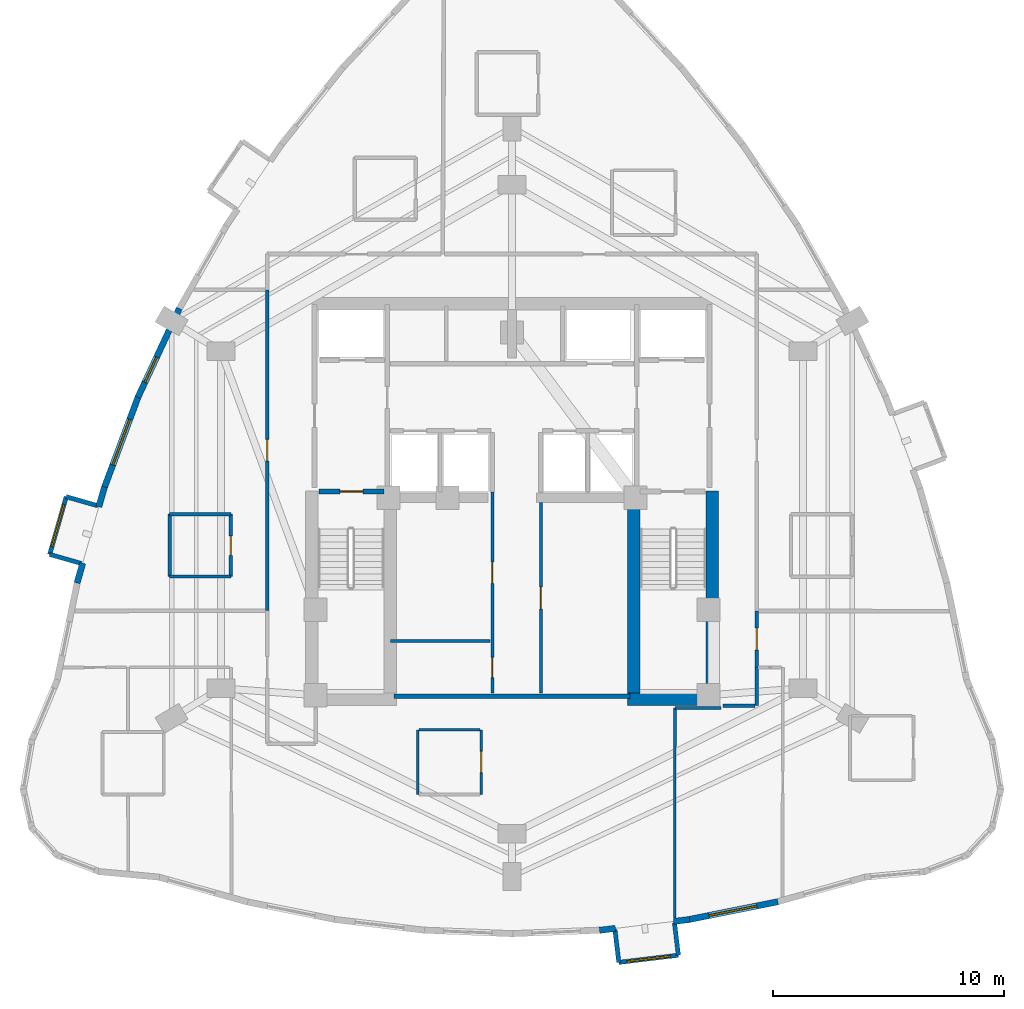
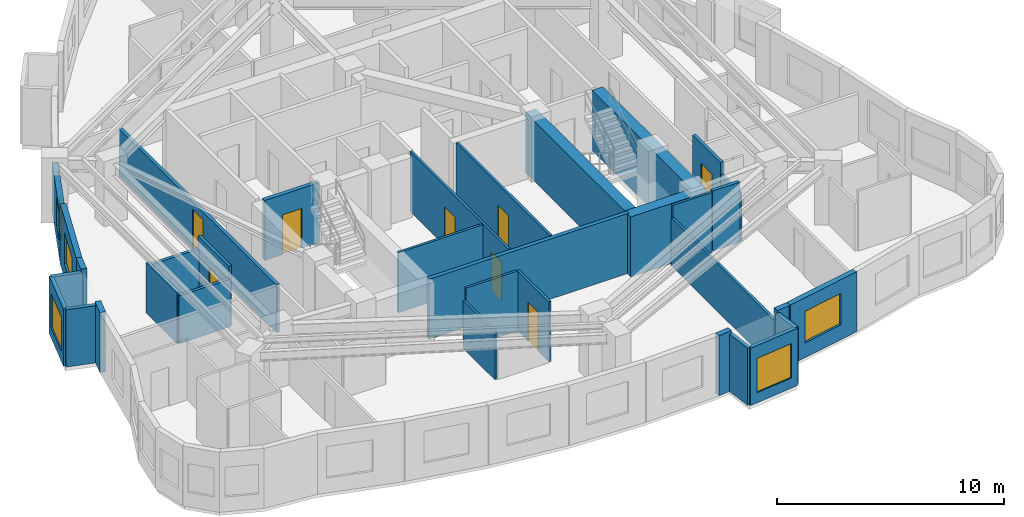
# One storey, part 5 of 10: 34 walls, 8 doors, 5 windows, 13 openings.
"""IFC4 building model written with IfcOpenShell, lengths in metres."""

from ifc_helpers import new_model, si_unit, direction, frame, frame_2d, origin, place, context, subcontext, project, spatial, rectangle, extrude, material, layer, layer_set, type_object, element, fill, save


model = new_model("IFC4")

# Units and contexts
model_context = context("Model", 3, precision=1e-05, world=origin(), true_north=direction((0.0, 1.0)))
body_context = subcontext(model_context, "Body", "Model", "MODEL_VIEW")
ifc_project = project(units=[si_unit("LENGTHUNIT", "METRE"), si_unit("AREAUNIT", "SQUARE_METRE"), si_unit("VOLUMEUNIT", "CUBIC_METRE"), si_unit("PLANEANGLEUNIT", "RADIAN"), si_unit("MASSUNIT", "GRAM", prefix="KILO")], contexts=[model_context])

# Site, building, storey
site_placement = place(None, origin())
site = spatial("IfcSite", under=ifc_project, at=site_placement, CompositionType="ELEMENT")
building_placement = place(site_placement, origin())
building = spatial("IfcBuilding", under=site, at=building_placement, Name="Miruveldt Soraemaru", CompositionType="ELEMENT")
storey_placement = place(building_placement, frame((0.0, 0.0, 173.89990234375)))
storey = spatial("IfcBuildingStorey", under=building, at=storey_placement, Name="L48", CompositionType="ELEMENT", Elevation=173.89990234375)

# Walls
ifc_material_1 = material(Name="White powder-coated aluminium EN AW-6060 T6", Category="aluminium")
ifc_layer_1 = layer(ifc_material_1, 0.18994140625, Name="White powder-coated aluminium EN AW-6060 T6", Category="aluminium")
ifc_layer_set_1 = layer_set([ifc_layer_1], Name="White powder-coated aluminium EN AW-6060 T6")
wall_type_1 = type_object("IfcWallType", Name="WALL-BAY-ALU190", PredefinedType="SOLIDWALL", material=ifc_layer_set_1)
wall_1_placement = place(storey_placement, frame((26.06591796875, 43.7041015625, 0.0), z_axis=(0.0, 0.0, 1.0), x_axis=(-0.961439844578, 0.275015318223, 0.0)))
element("IfcWall", 1, at=wall_1_placement, inside=storey, type_object=wall_type_1, Name="L48 Bay Window Side Cheek 2L", PredefinedType="SOLIDWALL", context=body_context, shape_type="SweptSolid", body=[
    extrude(rectangle(XDim=1.4248046875, YDim=0.18994140625, at=frame_2d((0.71240234375, 0.0))), origin(), (0.0, 0.0, 1.0), 3.085205078125),
])
wall_2_placement = place(storey_placement, frame((23.98095703125, 41.59619140625, 0.0), z_axis=(0.0, 0.0, 1.0), x_axis=(0.961452801096, -0.274970018845, 0.0)))
element("IfcWall", 2, at=wall_2_placement, inside=storey, type_object=wall_type_1, Name="L48 Bay Window Side Cheek 2R", PredefinedType="SOLIDWALL", context=body_context, shape_type="SweptSolid", body=[
    extrude(rectangle(XDim=1.425048828125, YDim=0.18994140625, at=frame_2d((0.71240234375, 0.0))), origin(), (0.0, 0.0, 1.0), 3.085205078125),
])

# Wall, opening, window
wall_3_placement = place(storey_placement, frame((24.696044921875, 44.095947265625, 0.0), z_axis=(0.0, 0.0, 1.0), x_axis=(-0.275031158597, -0.961435313373, 0.0)))
wall_3 = element("IfcWall", 3, at=wall_3_placement, inside=storey, type_object=wall_type_1, Name="L48 Bay Window Front Frame 2", PredefinedType="SOLIDWALL", context=body_context, shape_type="SweptSolid", body=[
    extrude(rectangle(XDim=2.60009765625, YDim=0.18994140625, at=frame_2d((1.300048828125, 0.0))), origin(), (0.0, 0.0, 1.0), 3.085205078125),
])
opening_1_placement = place(wall_3_placement, frame((0.35009765625, 0.0, 0.550048828125)))
opening_1 = element("IfcOpeningElement", 4, at=opening_1_placement, cuts=wall_3, Name="Opening WN-6", PredefinedType="OPENING", context=body_context, shape_type="SweptSolid", body=[
    extrude(rectangle(XDim=1.89990234375, YDim=1.85009765625, at=frame_2d((0.949951171875, 0.925048828125))), frame((0.0, 0.10498046875, 0.0), z_axis=(0.0, -1.0, 0.0), x_axis=(1.0, 0.0, 0.0)), (0.0, 0.0, 1.0), 0.2099609375),
])
ifc_material_2 = material(Name="Triple low-e insulated glazing", Category="glass")
window_type_1 = type_object("IfcWindowType", Name="WIN-BAYW-1900x1850", PartitioningType="SINGLE_PANEL", PredefinedType="WINDOW", material=ifc_material_2)
window_1_placement = place(opening_1_placement, origin())
window_1 = element("IfcWindow", 5, at=window_1_placement, inside=storey, type_object=window_type_1, Name="L48 Projecting Bay Window 2", OverallHeight=1.85009765625, OverallWidth=1.89990234375, PartitioningType="SINGLE_PANEL", PredefinedType="WINDOW", context=body_context, shape_type="SweptSolid", body=[
    extrude(rectangle(XDim=1.89990234375, YDim=1.85009765625, at=frame_2d((0.949951171875, 0.925048828125))), frame((0.0, 0.030029296875, 0.0), z_axis=(0.0, -1.0, 0.0), x_axis=(1.0, 0.0, 0.0)), (0.0, 0.0, 1.0), 0.06005859375),
])
fill(opening_1, window_1)

# Walls
wall_4_placement = place(storey_placement, frame((48.45458984375, 25.345703125, 0.0), z_axis=(0.0, 0.0, 1.0), x_axis=(0.119246559468, -0.992864672579, 0.0)))
element("IfcWall", 6, at=wall_4_placement, inside=storey, type_object=wall_type_1, Name="L48 Bay Window Side Cheek 3L", PredefinedType="SOLIDWALL", context=body_context, shape_type="SweptSolid", body=[
    extrude(rectangle(XDim=1.425048828125, YDim=0.18994140625, at=frame_2d((0.71240234375, 0.0))), origin(), (0.0, 0.0, 1.0), 3.085205078125),
])
wall_5_placement = place(storey_placement, frame((51.205810546875, 24.240478515625, 0.0), z_axis=(0.0, 0.0, 1.0), x_axis=(-0.119057405757, 0.992887372331, 0.0)))
element("IfcWall", 7, at=wall_5_placement, inside=storey, type_object=wall_type_1, Name="L48 Bay Window Side Cheek 3R", PredefinedType="SOLIDWALL", context=body_context, shape_type="SweptSolid", body=[
    extrude(rectangle(XDim=1.42529296875, YDim=0.18994140625, at=frame_2d((0.712646484375, 0.0))), origin(), (0.0, 0.0, 1.0), 3.085205078125),
])

# Wall, opening, window
wall_6_placement = place(storey_placement, frame((48.62451171875, 23.930908203125, 0.0), z_axis=(0.0, 0.0, 1.0), x_axis=(0.992885278793, 0.119074863663, 0.0)))
wall_6 = element("IfcWall", 8, at=wall_6_placement, inside=storey, type_object=wall_type_1, Name="L48 Bay Window Front Frame 3", PredefinedType="SOLIDWALL", context=body_context, shape_type="SweptSolid", body=[
    extrude(rectangle(XDim=2.599853515625, YDim=0.18994140625, at=frame_2d((1.2998046875, 0.0))), origin(), (0.0, 0.0, 1.0), 3.085205078125),
])
opening_2_placement = place(wall_6_placement, frame((0.35009765625, 0.0, 0.550048828125)))
opening_2 = element("IfcOpeningElement", 9, at=opening_2_placement, cuts=wall_6, Name="Opening WN-6", PredefinedType="OPENING", context=body_context, shape_type="SweptSolid", body=[
    extrude(rectangle(XDim=1.89990234375, YDim=1.85009765625, at=frame_2d((0.949951171875, 0.925048828125))), frame((0.0, 0.10498046875, 0.0), z_axis=(0.0, -1.0, 0.0), x_axis=(1.0, 0.0, 0.0)), (0.0, 0.0, 1.0), 0.2099609375),
])
window_2_placement = place(opening_2_placement, origin())
window_2 = element("IfcWindow", 10, at=window_2_placement, inside=storey, type_object=window_type_1, Name="L48 Projecting Bay Window 3", OverallHeight=1.85009765625, OverallWidth=1.89990234375, PartitioningType="SINGLE_PANEL", PredefinedType="WINDOW", context=body_context, shape_type="SweptSolid", body=[
    extrude(rectangle(XDim=1.89990234375, YDim=1.85009765625, at=frame_2d((0.949951171875, 0.925048828125))), frame((0.0, 0.030029296875, 0.0), z_axis=(0.0, -1.0, 0.0), x_axis=(1.0, 0.0, 0.0)), (0.0, 0.0, 1.0), 0.06005859375),
])
fill(opening_2, window_2)

# Walls
ifc_material_3 = material(Name="Concrete C70/85 (70 MPa)", Category="concrete")
ifc_layer_2 = layer(ifc_material_3, 0.550048828125, Name="Concrete C70/85 (70 MPa)", Category="concrete")
ifc_layer_set_2 = layer_set([ifc_layer_2], Name="Concrete C70/85 (70 MPa)")
wall_type_2 = type_object("IfcWallType", Name="WALL-CW-550", PredefinedType="SHEAR", material=ifc_layer_set_2)
wall_7_placement = place(storey_placement, frame((49.0, 35.324951171875, 0.0), z_axis=(0.0, 0.0, 1.0), x_axis=(1.0, 0.0, 0.0)))
element("IfcWall", 11, at=wall_7_placement, inside=storey, type_object=wall_type_2, Name="L48 Central Core Shear Wall S2", PredefinedType="SHEAR", context=body_context, shape_type="SweptSolid", body=[
    extrude(rectangle(XDim=3.949951171875, YDim=0.550048828125, at=frame_2d((1.97509765625, 0.0))), origin(), (0.0, 0.0, 1.0), 3.235107421875),
])
wall_8_placement = place(storey_placement, frame((52.675048828125, 35.050048828125, 0.0), z_axis=(0.0, 0.0, 1.0), x_axis=(0.0, 1.0, 0.0)))
element("IfcWall", 12, at=wall_8_placement, inside=storey, type_object=wall_type_2, Name="L48 Central Core Shear Wall E1", PredefinedType="SHEAR", context=body_context, shape_type="SweptSolid", body=[
    extrude(rectangle(XDim=9.300048828125, YDim=0.550048828125, at=frame_2d((4.64990234375, 0.0))), origin(), (0.0, 0.0, 1.0), 3.235107421875),
])
wall_9_placement = place(storey_placement, frame((49.27490234375, 35.39990234375, 0.0), z_axis=(0.0, 0.0, 1.0), x_axis=(0.0, 1.0, 0.0)))
element("IfcWall", 13, at=wall_9_placement, inside=storey, type_object=wall_type_2, Name="L48 Central Core Shear Wall SE-INT", PredefinedType="SHEAR", context=body_context, shape_type="SweptSolid", body=[
    extrude(rectangle(XDim=8.9501953125, YDim=0.550048828125, at=frame_2d((4.47509765625, 0.0))), origin(), (0.0, 0.0, 1.0), 3.235107421875),
])

# Wall, opening, window
ifc_material_4 = material(Name="Precast concrete C45/55 (45 MPa)", Category="concrete")
ifc_layer_3 = layer(ifc_material_4, 0.27001953125, Name="Precast concrete C45/55 (45 MPa)", Category="concrete")
ifc_layer_set_3 = layer_set([ifc_layer_3], Name="Precast concrete C45/55 (45 MPa)")
wall_type_3 = type_object("IfcWallType", Name="WALL-EXT-PC270", PredefinedType="SOLIDWALL", material=ifc_layer_set_3)
wall_10_placement = place(storey_placement, frame((29.59375, 52.245361328125, 0.0), z_axis=(0.0, 0.0, 1.0), x_axis=(-0.422331680963, -0.906441366694, 0.0)))
wall_10 = element("IfcWall", 14, at=wall_10_placement, inside=storey, type_object=wall_type_3, Name="L48 Precast Concrete Facade Wall 11", PredefinedType="SOLIDWALL", context=body_context, shape_type="SweptSolid", body=[
    extrude(rectangle(XDim=4.248291015625, YDim=0.27001953125, at=frame_2d((2.1240234375, 0.0))), origin(), (0.0, 0.0, 1.0), 2.572998046875),
])
opening_3_placement = place(wall_10_placement, frame((2.323974609375, 0.0, 0.780029296875)))
opening_3 = element("IfcOpeningElement", 15, at=opening_3_placement, cuts=wall_10, Name="Opening WN-4", PredefinedType="OPENING", context=body_context, shape_type="SweptSolid", body=[
    extrude(rectangle(XDim=1.199951171875, YDim=1.550048828125, at=frame_2d((0.60009765625, 0.77490234375))), frame((0.0, 0.14501953125, 0.0), z_axis=(0.0, -1.0, 0.0), x_axis=(1.0, 0.0, 0.0)), (0.0, 0.0, 1.0), 0.2900390625),
])
window_type_2 = type_object("IfcWindowType", Name="WIN-PUNCH-1200x1550", PartitioningType="SINGLE_PANEL", PredefinedType="WINDOW", material=ifc_material_2)
window_3_placement = place(opening_3_placement, origin())
window_3 = element("IfcWindow", 16, at=window_3_placement, inside=storey, type_object=window_type_2, Name="L48 Punched Triple-Glazed Window 11.1", OverallHeight=1.550048828125, OverallWidth=1.199951171875, PartitioningType="SINGLE_PANEL", PredefinedType="WINDOW", context=body_context, shape_type="SweptSolid", body=[
    extrude(rectangle(XDim=1.199951171875, YDim=1.550048828125, at=frame_2d((0.60009765625, 0.77490234375))), frame((0.0, 0.030029296875, 0.0), z_axis=(0.0, -1.0, 0.0), x_axis=(1.0, 0.0, 0.0)), (0.0, 0.0, 1.0), 0.06005859375),
])
fill(opening_3, window_3)

wall_11_placement = place(storey_placement, frame((27.82666015625, 48.458984375, 0.0), z_axis=(0.0, 0.0, 1.0), x_axis=(-0.349019533754, -0.937115449162, 0.0)))
wall_11 = element("IfcWall", 17, at=wall_11_placement, inside=storey, type_object=wall_type_3, Name="L48 Precast Concrete Facade Wall 12", PredefinedType="SOLIDWALL", context=body_context, shape_type="SweptSolid", body=[
    extrude(rectangle(XDim=4.274658203125, YDim=0.27001953125, at=frame_2d((2.13720703125, 0.0))), origin(), (0.0, 0.0, 1.0), 3.235107421875),
])
opening_4_placement = place(wall_11_placement, frame((1.0869140625, 0.0, 0.800048828125)))
opening_4 = element("IfcOpeningElement", 18, at=opening_4_placement, cuts=wall_11, Name="Opening WN-1", PredefinedType="OPENING", context=body_context, shape_type="SweptSolid", body=[
    extrude(rectangle(XDim=2.10009765625, YDim=1.699951171875, at=frame_2d((1.050048828125, 0.85009765625))), frame((0.0, 0.14501953125, 0.0), z_axis=(0.0, -1.0, 0.0), x_axis=(1.0, 0.0, 0.0)), (0.0, 0.0, 1.0), 0.2900390625),
])
window_type_3 = type_object("IfcWindowType", Name="WIN-PUNCH-2100x1700", PartitioningType="SINGLE_PANEL", PredefinedType="WINDOW", material=ifc_material_2)
window_4_placement = place(opening_4_placement, origin())
window_4 = element("IfcWindow", 19, at=window_4_placement, inside=storey, type_object=window_type_3, Name="L48 Punched Triple-Glazed Window 12.1", OverallHeight=1.699951171875, OverallWidth=2.10009765625, PartitioningType="SINGLE_PANEL", PredefinedType="WINDOW", context=body_context, shape_type="SweptSolid", body=[
    extrude(rectangle(XDim=2.10009765625, YDim=1.699951171875, at=frame_2d((1.050048828125, 0.85009765625))), frame((0.0, 0.030029296875, 0.0), z_axis=(0.0, -1.0, 0.0), x_axis=(1.0, 0.0, 0.0)), (0.0, 0.0, 1.0), 0.06005859375),
])
fill(opening_4, window_4)

# Walls
for number, where, z_axis, x_axis, name in (
    (20, (26.3564453125, 44.51953125, 0.0), (0.0, 0.0, 1.0), (-0.275045780768, -0.961431130389, 0.0), "L48 Precast Pier Wall 13A"),
    (21, (25.412109375, 41.218017578125, 0.0), (0.0, 0.0, 1.0), (-0.274793281104, -0.961503329511, 0.0), "L48 Precast Pier Wall 13B"),
):
    element("IfcWall", number, at=place(storey_placement, frame(where, z_axis=z_axis, x_axis=x_axis)), inside=storey, type_object=wall_type_3, Name=name, PredefinedType="SOLIDWALL", context=body_context, shape_type="SweptSolid", body=[
        extrude(rectangle(XDim=0.893798828125, YDim=0.27001953125, at=frame_2d((0.44677734375, 0.0))), origin(), (0.0, 0.0, 1.0), 3.235107421875),
    ])
for number, where, z_axis, x_axis, name in (
    (22, (47.791015625, 25.3212890625, 0.0), (0.0, 0.0, 1.0), (0.992858455282, 0.119298314215, 0.0), "L48 Precast Pier Wall 26A"),
    (23, (50.999755859375, 25.706298828125, 0.0), (0.0, 0.0, 1.0), (0.992858455282, 0.119298314215, 0.0), "L48 Precast Pier Wall 26B"),
):
    element("IfcWall", number, at=place(storey_placement, frame(where, z_axis=z_axis, x_axis=x_axis)), inside=storey, type_object=wall_type_3, Name=name, PredefinedType="SOLIDWALL", context=body_context, shape_type="SweptSolid", body=[
        extrude(rectangle(XDim=0.691650390625, YDim=0.27001953125, at=frame_2d((0.345703125, 0.0))), origin(), (0.0, 0.0, 1.0), 3.235107421875),
    ])

# Wall, opening, window
wall_12_placement = place(storey_placement, frame((51.617431640625, 25.77783203125, 0.0), z_axis=(0.0, 0.0, 1.0), x_axis=(0.980573582327, 0.196151598621, 0.0)))
wall_12 = element("IfcWall", 24, at=wall_12_placement, inside=storey, type_object=wall_type_3, Name="L48 Precast Concrete Facade Wall 27", PredefinedType="SOLIDWALL", context=body_context, shape_type="SweptSolid", body=[
    extrude(rectangle(XDim=3.9716796875, YDim=0.27001953125, at=frame_2d((1.98583984375, 0.0))), origin(), (0.0, 0.0, 1.0), 3.235107421875),
])
opening_5_placement = place(wall_12_placement, frame((0.93408203125, 0.0, 0.800048828125)))
opening_5 = element("IfcOpeningElement", 25, at=opening_5_placement, cuts=wall_12, Name="Opening WN-1", PredefinedType="OPENING", context=body_context, shape_type="SweptSolid", body=[
    extrude(rectangle(XDim=2.10009765625, YDim=1.699951171875, at=frame_2d((1.050048828125, 0.85009765625))), frame((0.0, 0.14501953125, 0.0), z_axis=(0.0, -1.0, 0.0), x_axis=(1.0, 0.0, 0.0)), (0.0, 0.0, 1.0), 0.2900390625),
])
window_5_placement = place(opening_5_placement, origin())
window_5 = element("IfcWindow", 26, at=window_5_placement, inside=storey, type_object=window_type_3, Name="L48 Punched Triple-Glazed Window 27.1", OverallHeight=1.699951171875, OverallWidth=2.10009765625, PartitioningType="SINGLE_PANEL", PredefinedType="WINDOW", context=body_context, shape_type="SweptSolid", body=[
    extrude(rectangle(XDim=2.10009765625, YDim=1.699951171875, at=frame_2d((1.050048828125, 0.85009765625))), frame((0.0, 0.030029296875, 0.0), z_axis=(0.0, -1.0, 0.0), x_axis=(1.0, 0.0, 0.0)), (0.0, 0.0, 1.0), 0.06005859375),
])
fill(opening_5, window_5)

# Wall, openings, doors
ifc_material_5 = material(Name="Gypsum plasterboard lining", Category="gypsum")
ifc_layer_4 = layer(ifc_material_5, 0.1201171875, Name="Gypsum plasterboard lining", Category="gypsum")
ifc_layer_set_4 = layer_set([ifc_layer_4], Name="Gypsum plasterboard lining")
wall_type_4 = type_object("IfcWallType", Name="WALL-INT-P120", PredefinedType="PARTITIONING", material=ifc_layer_set_4)
wall_13_placement = place(storey_placement, frame((43.14990234375, 35.60009765625, 0.0), z_axis=(0.0, 0.0, 1.0), x_axis=(0.0, 1.0, 0.0)))
wall_13 = element("IfcWall", 27, at=wall_13_placement, inside=storey, type_object=wall_type_4, Name="L48 Core Compartment Wall SP-WL", PredefinedType="PARTITIONING", context=body_context, shape_type="SweptSolid", body=[
    extrude(rectangle(XDim=8.699951171875, YDim=0.1201171875, at=frame_2d((4.35009765625, 0.0))), origin(), (0.0, 0.0, 1.0), 3.235107421875),
])
opening_6_placement = place(wall_13_placement, frame((0.659912109375, 0.0, 0.0)))
opening_6 = element("IfcOpeningElement", 28, at=opening_6_placement, cuts=wall_13, Name="Opening D4", PredefinedType="OPENING", context=body_context, shape_type="SweptSolid", body=[
    extrude(rectangle(XDim=0.8798828125, YDim=2.10009765625, at=frame_2d((0.43994140625, 1.050048828125))), frame((0.0, 0.070068359375, 0.0), z_axis=(0.0, -1.0, 0.0), x_axis=(1.0, 0.0, 0.0)), (0.0, 0.0, 1.0), 0.14013671875),
])
opening_7_placement = place(wall_13_placement, frame((4.739990234375, 0.0, 0.0)))
opening_7 = element("IfcOpeningElement", 29, at=opening_7_placement, cuts=wall_13, Name="Opening D3A", PredefinedType="OPENING", context=body_context, shape_type="SweptSolid", body=[
    extrude(rectangle(XDim=0.919921875, YDim=2.10009765625, at=frame_2d((0.4599609375, 1.050048828125))), frame((0.0, 0.070068359375, 0.0), z_axis=(0.0, -1.0, 0.0), x_axis=(1.0, 0.0, 0.0)), (0.0, 0.0, 1.0), 0.14013671875),
])
ifc_material_6 = material(Name="Anodised aluminium EN AW-6063 T6", Category="aluminium")
door_type_1 = type_object("IfcDoorType", Name="DOOR-INT-880", OperationType="NOTDEFINED", PredefinedType="DOOR", material=ifc_material_6)
door_1_placement = place(opening_6_placement, origin())
door_1 = element("IfcDoor", 30, at=door_1_placement, inside=storey, type_object=door_type_1, Name="L48 Fire Door", OperationType="SINGLE_SWING_LEFT", OverallHeight=2.10009765625, OverallWidth=0.8798828125, PredefinedType="DOOR", context=body_context, shape_type="SweptSolid", body=[
    extrude(rectangle(XDim=0.8798828125, YDim=2.10009765625, at=frame_2d((0.43994140625, 1.050048828125))), frame((0.0, 0.02490234375, 0.0), z_axis=(0.0, -1.0, 0.0), x_axis=(1.0, 0.0, 0.0)), (0.0, 0.0, 1.0), 0.050048828125),
])
fill(opening_6, door_1)
door_type_2 = type_object("IfcDoorType", Name="DOOR-INT-920", OperationType="NOTDEFINED", PredefinedType="DOOR", material=ifc_material_6)
door_2_placement = place(opening_7_placement, origin())
door_2 = element("IfcDoor", 31, at=door_2_placement, inside=storey, type_object=door_type_2, Name="L48 Fire Door", OperationType="SINGLE_SWING_LEFT", OverallHeight=2.10009765625, OverallWidth=0.919921875, PredefinedType="DOOR", context=body_context, shape_type="SweptSolid", body=[
    extrude(rectangle(XDim=0.919921875, YDim=2.10009765625, at=frame_2d((0.4599609375, 1.050048828125))), frame((0.0, 0.02490234375, 0.0), z_axis=(0.0, -1.0, 0.0), x_axis=(1.0, 0.0, 0.0)), (0.0, 0.0, 1.0), 0.050048828125),
])
fill(opening_7, door_2)

# Wall, opening, door
wall_14_placement = place(storey_placement, frame((45.25, 35.60009765625, 0.0), z_axis=(0.0, 0.0, 1.0), x_axis=(0.0, 1.0, 0.0)))
wall_14 = element("IfcWall", 32, at=wall_14_placement, inside=storey, type_object=wall_type_4, Name="L48 Core Compartment Wall SP-EL", PredefinedType="PARTITIONING", context=body_context, shape_type="SweptSolid", body=[
    extrude(rectangle(XDim=8.25, YDim=0.1201171875, at=frame_2d((4.125, 0.0))), origin(), (0.0, 0.0, 1.0), 3.235107421875),
])
opening_8_placement = place(wall_14_placement, frame((3.625, 0.0, 0.0)))
opening_8 = element("IfcOpeningElement", 33, at=opening_8_placement, cuts=wall_14, Name="Opening D2", PredefinedType="OPENING", context=body_context, shape_type="SweptSolid", body=[
    extrude(rectangle(XDim=0.949951171875, YDim=2.10009765625, at=frame_2d((0.47509765625, 1.050048828125))), frame((0.0, 0.070068359375, 0.0), z_axis=(0.0, -1.0, 0.0), x_axis=(1.0, 0.0, 0.0)), (0.0, 0.0, 1.0), 0.14013671875),
])
door_type_3 = type_object("IfcDoorType", Name="DOOR-INT-950", OperationType="NOTDEFINED", PredefinedType="DOOR", material=ifc_material_6)
door_3_placement = place(opening_8_placement, origin())
door_3 = element("IfcDoor", 34, at=door_3_placement, inside=storey, type_object=door_type_3, Name="L48 Fire Door", OperationType="SINGLE_SWING_LEFT", OverallHeight=2.10009765625, OverallWidth=0.949951171875, PredefinedType="DOOR", context=body_context, shape_type="SweptSolid", body=[
    extrude(rectangle(XDim=0.949951171875, YDim=2.10009765625, at=frame_2d((0.47509765625, 1.050048828125))), frame((0.0, 0.02490234375, 0.0), z_axis=(0.0, -1.0, 0.0), x_axis=(1.0, 0.0, 0.0)), (0.0, 0.0, 1.0), 0.050048828125),
])
fill(opening_8, door_3)

wall_15_placement = place(storey_placement, frame((42.6669921875, 31.205078125, 0.0), z_axis=(0.0, 0.0, 1.0), x_axis=(0.0, 1.0, 0.0)))
wall_15 = element("IfcWall", 35, at=wall_15_placement, inside=storey, type_object=wall_type_4, Name="L48 Partition Wall 26", PredefinedType="PARTITIONING", context=body_context, shape_type="SweptSolid", body=[
    extrude(rectangle(XDim=2.7998046875, YDim=0.1201171875, at=frame_2d((1.39990234375, 0.0))), origin(), (0.0, 0.0, 1.0), 3.235107421875),
])
opening_9_placement = place(wall_15_placement, frame((0.93994140625, 0.0, 0.0)))
opening_9 = element("IfcOpeningElement", 36, at=opening_9_placement, cuts=wall_15, Name="Opening D3A", PredefinedType="OPENING", context=body_context, shape_type="SweptSolid", body=[
    extrude(rectangle(XDim=0.919921875, YDim=2.10009765625, at=frame_2d((0.4599609375, 1.050048828125))), frame((0.0, 0.070068359375, 0.0), z_axis=(0.0, -1.0, 0.0), x_axis=(1.0, 0.0, 0.0)), (0.0, 0.0, 1.0), 0.14013671875),
])
door_4_placement = place(opening_9_placement, origin())
door_4 = element("IfcDoor", 37, at=door_4_placement, inside=storey, type_object=door_type_2, Name="L48 Unit 4803 KIT Door", OperationType="SINGLE_SWING_RIGHT", OverallHeight=2.10009765625, OverallWidth=0.919921875, PredefinedType="DOOR", context=body_context, shape_type="SweptSolid", body=[
    extrude(rectangle(XDim=0.919921875, YDim=2.10009765625, at=frame_2d((0.4599609375, 1.050048828125))), frame((0.0, 0.02490234375, 0.0), z_axis=(0.0, -1.0, 0.0), x_axis=(1.0, 0.0, 0.0)), (0.0, 0.0, 1.0), 0.050048828125),
])
fill(opening_9, door_4)

# Walls
wall_16_placement = place(storey_placement, frame((51.044921875, 25.863037109375, 0.0), z_axis=(0.0, 0.0, 1.0), x_axis=(0.000886619748, 0.999999606953, 0.0)))
element("IfcWall", 38, at=wall_16_placement, inside=storey, type_object=wall_type_4, Name="L48 Partition Wall 59", PredefinedType="PARTITIONING", context=body_context, shape_type="SweptSolid", body=[
    extrude(rectangle(XDim=9.0869140625, YDim=0.1201171875, at=frame_2d((4.54345703125, 0.0))), origin(), (0.0, 0.0, 1.0), 2.572998046875),
])
wall_17_placement = place(storey_placement, frame((38.75, 37.85009765625, 0.0), z_axis=(0.0, 0.0, 1.0), x_axis=(1.0, 0.0, 0.0)))
element("IfcWall", 39, at=wall_17_placement, inside=storey, type_object=wall_type_4, Name="L48 Core Compartment Wall RL-W1H", PredefinedType="PARTITIONING", context=body_context, shape_type="SweptSolid", body=[
    extrude(rectangle(XDim=4.300048828125, YDim=0.1201171875, at=frame_2d((2.14990234375, 0.0))), origin(), (0.0, 0.0, 1.0), 3.235107421875),
])
wall_18_placement = place(storey_placement, frame((39.9169921875, 34.0048828125, 0.0), z_axis=(0.0, 0.0, 1.0), x_axis=(0.0, -1.0, 0.0)))
element("IfcWall", 40, at=wall_18_placement, inside=storey, type_object=wall_type_4, Name="L48 Partition Wall 28", PredefinedType="PARTITIONING", context=body_context, shape_type="SweptSolid", body=[
    extrude(rectangle(XDim=2.7998046875, YDim=0.1201171875, at=frame_2d((1.39990234375, 0.0))), origin(), (0.0, 0.0, 1.0), 2.572998046875),
])
wall_19_placement = place(storey_placement, frame((42.60693359375, 34.0048828125, 0.0), z_axis=(0.0, 0.0, 1.0), x_axis=(-1.0, 0.0, 0.0)))
element("IfcWall", 41, at=wall_19_placement, inside=storey, type_object=wall_type_4, Name="L48 Partition Wall 27", PredefinedType="PARTITIONING", context=body_context, shape_type="SweptSolid", body=[
    extrude(rectangle(XDim=2.6298828125, YDim=0.1201171875, at=frame_2d((1.31494140625, 0.0))), origin(), (0.0, 0.0, 1.0), 3.235107421875),
])
wall_20_placement = place(storey_placement, frame((51.052978515625, 34.949951171875, 0.0), z_axis=(0.0, 0.0, 1.0), x_axis=(1.0, 0.0, 0.0)))
element("IfcWall", 42, at=wall_20_placement, inside=storey, type_object=wall_type_4, Name="L48 Partition Wall 60", PredefinedType="PARTITIONING", context=body_context, shape_type="SweptSolid", body=[
    extrude(rectangle(XDim=1.9970703125, YDim=0.1201171875, at=frame_2d((0.99853515625, 0.0))), origin(), (0.0, 0.0, 1.0), 3.235107421875),
])

# Wall, opening, door
ifc_layer_5 = layer(ifc_material_5, 0.14990234375, Name="Gypsum plasterboard lining", Category="gypsum")
ifc_layer_set_5 = layer_set([ifc_layer_5], Name="Gypsum plasterboard lining")
wall_type_5 = type_object("IfcWallType", Name="WALL-INT-PLUMB", PredefinedType="PLUMBINGWALL", material=ifc_layer_set_5)
wall_21_placement = place(storey_placement, frame((31.824951171875, 40.64111328125, 0.0), z_axis=(0.0, 0.0, 1.0), x_axis=(0.0, 1.0, 0.0)))
wall_21 = element("IfcWall", 43, at=wall_21_placement, inside=storey, type_object=wall_type_5, Name="L48 Partition Wall 36", PredefinedType="PLUMBINGWALL", context=body_context, shape_type="SweptSolid", body=[
    extrude(rectangle(XDim=2.699951171875, YDim=0.14990234375, at=frame_2d((1.35009765625, 0.0))), origin(), (0.0, 0.0, 1.0), 3.235107421875),
])
opening_10_placement = place(wall_21_placement, frame((0.909912109375, 0.0, 0.0)))
opening_10 = element("IfcOpeningElement", 44, at=opening_10_placement, cuts=wall_21, Name="Opening FD3", PredefinedType="OPENING", context=body_context, shape_type="SweptSolid", body=[
    extrude(rectangle(XDim=0.85009765625, YDim=2.10009765625, at=frame_2d((0.425048828125, 1.050048828125))), frame((0.0, 0.0849609375, 0.0), z_axis=(0.0, -1.0, 0.0), x_axis=(1.0, 0.0, 0.0)), (0.0, 0.0, 1.0), 0.169921875),
])
door_type_4 = type_object("IfcDoorType", Name="DOOR-FD3-850", OperationType="NOTDEFINED", PredefinedType="DOOR", material=ifc_material_6)
door_5_placement = place(opening_10_placement, origin())
door_5 = element("IfcDoor", 45, at=door_5_placement, inside=storey, type_object=door_type_4, Name="L48 Unit CL04 BTH Door", OperationType="SINGLE_SWING_RIGHT", OverallHeight=2.10009765625, OverallWidth=0.85009765625, PredefinedType="DOOR", context=body_context, shape_type="SweptSolid", body=[
    extrude(rectangle(XDim=0.85009765625, YDim=2.10009765625, at=frame_2d((0.425048828125, 1.050048828125))), frame((0.0, 0.02490234375, 0.0), z_axis=(0.0, -1.0, 0.0), x_axis=(1.0, 0.0, 0.0)), (0.0, 0.0, 1.0), 0.050048828125),
])
fill(opening_10, door_5)

# Walls
wall_22_placement = place(storey_placement, frame((29.175048828125, 43.341064453125, 0.0), z_axis=(0.0, 0.0, 1.0), x_axis=(0.0, -1.0, 0.0)))
element("IfcWall", 46, at=wall_22_placement, inside=storey, type_object=wall_type_5, Name="L48 Partition Wall 38", PredefinedType="PLUMBINGWALL", context=body_context, shape_type="SweptSolid", body=[
    extrude(rectangle(XDim=2.699951171875, YDim=0.14990234375, at=frame_2d((1.35009765625, 0.0))), origin(), (0.0, 0.0, 1.0), 2.72314453125),
])
for number, where, z_axis, x_axis, name in (
    (47, (31.824951171875, 43.341064453125, 0.0), (0.0, 0.0, 1.0), (-1.0, 0.0, 0.0), "L48 Partition Wall 37"),
    (48, (29.175048828125, 40.64111328125, 0.0), (0.0, 0.0, 1.0), (1.0, 0.0, 0.0), "L48 Partition Wall 39"),
):
    element("IfcWall", number, at=place(storey_placement, frame(where, z_axis=z_axis, x_axis=x_axis)), inside=storey, type_object=wall_type_5, Name=name, PredefinedType="PLUMBINGWALL", context=body_context, shape_type="SweptSolid", body=[
        extrude(rectangle(XDim=2.64990234375, YDim=0.14990234375, at=frame_2d((1.324951171875, 0.0))), origin(), (0.0, 0.0, 1.0), 2.572998046875),
    ])

# Wall, opening, door
ifc_material_7 = material(Name="Concrete C40/50 (40 MPa)", Category="concrete")
ifc_layer_6 = layer(ifc_material_7, 0.159912109375, Name="Concrete C40/50 (40 MPa)", Category="concrete")
ifc_layer_set_6 = layer_set([ifc_layer_6], Name="Concrete C40/50 (40 MPa)")
wall_type_6 = type_object("IfcWallType", Name="WALL-INT-RC160", PredefinedType="SOLIDWALL", material=ifc_layer_set_6)
wall_23_placement = place(storey_placement, frame((33.39990234375, 53.050048828125, 0.0), z_axis=(0.0, 0.0, 1.0), x_axis=(0.0, -1.0, 0.0)))
wall_23 = element("IfcWall", 49, at=wall_23_placement, inside=storey, type_object=wall_type_6, Name="L48 Partition Wall 8", PredefinedType="SOLIDWALL", context=body_context, shape_type="SweptSolid", body=[
    extrude(rectangle(XDim=13.88916015625, YDim=0.159912109375, at=frame_2d((6.944580078125, 0.0))), origin(), (0.0, 0.0, 1.0), 2.572998046875),
])
opening_11_placement = place(wall_23_placement, frame((6.468994140625, 0.0, 0.0)))
opening_11 = element("IfcOpeningElement", 50, at=opening_11_placement, cuts=wall_23, Name="Opening FD2", PredefinedType="OPENING", context=body_context, shape_type="SweptSolid", body=[
    extrude(rectangle(XDim=0.949951171875, YDim=2.14990234375, at=frame_2d((0.47509765625, 1.074951171875))), frame((0.0, 0.08984375, 0.0), z_axis=(0.0, -1.0, 0.0), x_axis=(1.0, 0.0, 0.0)), (0.0, 0.0, 1.0), 0.179931640625),
])
door_type_5 = type_object("IfcDoorType", Name="DOOR-FD2-950", OperationType="NOTDEFINED", PredefinedType="DOOR", material=ifc_material_6)
door_6_placement = place(opening_11_placement, origin())
door_6 = element("IfcDoor", 51, at=door_6_placement, inside=storey, type_object=door_type_5, Name="L48 Unit CL04 Entrance Fire Door", OperationType="SINGLE_SWING_LEFT", OverallHeight=2.14990234375, OverallWidth=0.949951171875, PredefinedType="DOOR", context=body_context, shape_type="SweptSolid", body=[
    extrude(rectangle(XDim=0.949951171875, YDim=2.14990234375, at=frame_2d((0.47509765625, 1.074951171875))), frame((0.0, 0.02490234375, 0.0), z_axis=(0.0, -1.0, 0.0), x_axis=(1.0, 0.0, 0.0)), (0.0, 0.0, 1.0), 0.050048828125),
])
fill(opening_11, door_6)

wall_24_placement = place(storey_placement, frame((54.60009765625, 36.7041015625, 0.0), z_axis=(0.0, 0.0, 1.0), x_axis=(0.0, 1.0, 0.0)))
wall_24 = element("IfcWall", 52, at=wall_24_placement, inside=storey, type_object=wall_type_6, Name="L48 Partition Wall 9", PredefinedType="SOLIDWALL", context=body_context, shape_type="SweptSolid", body=[
    extrude(rectangle(XDim=2.44384765625, YDim=0.159912109375, at=frame_2d((1.221923828125, 0.0))), origin(), (0.0, 0.0, 1.0), 3.235107421875),
])
opening_12_placement = place(wall_24_placement, frame((0.7470703125, 0.0, 0.0)))
opening_12 = element("IfcOpeningElement", 53, at=opening_12_placement, cuts=wall_24, Name="Opening FD2", PredefinedType="OPENING", context=body_context, shape_type="SweptSolid", body=[
    extrude(rectangle(XDim=0.949951171875, YDim=2.14990234375, at=frame_2d((0.47509765625, 1.074951171875))), frame((0.0, 0.08984375, 0.0), z_axis=(0.0, -1.0, 0.0), x_axis=(1.0, 0.0, 0.0)), (0.0, 0.0, 1.0), 0.179931640625),
])
door_7_placement = place(opening_12_placement, origin())
door_7 = element("IfcDoor", 54, at=door_7_placement, inside=storey, type_object=door_type_5, Name="L48 Unit 4805 Entrance Fire Door", OperationType="SINGLE_SWING_LEFT", OverallHeight=2.14990234375, OverallWidth=0.949951171875, PredefinedType="DOOR", context=body_context, shape_type="SweptSolid", body=[
    extrude(rectangle(XDim=0.949951171875, YDim=2.14990234375, at=frame_2d((0.47509765625, 1.074951171875))), frame((0.0, 0.02490234375, 0.0), z_axis=(0.0, -1.0, 0.0), x_axis=(1.0, 0.0, 0.0)), (0.0, 0.0, 1.0), 0.050048828125),
])
fill(opening_12, door_7)

# Walls
wall_25_placement = place(storey_placement, frame((54.60009765625, 35.050048828125, 0.0), z_axis=(0.0, 0.0, 1.0), x_axis=(0.0, 1.0, 0.0)))
element("IfcWall", 55, at=wall_25_placement, inside=storey, type_object=wall_type_6, Name="L48 Partition Wall 11", PredefinedType="SOLIDWALL", context=body_context, shape_type="SweptSolid", body=[
    extrude(rectangle(XDim=1.65087890625, YDim=0.159912109375, at=frame_2d((0.825439453125, 0.0))), origin(), (0.0, 0.0, 1.0), 2.572998046875),
])
wall_26_placement = place(storey_placement, frame((53.1298828125, 35.050048828125, 0.0), z_axis=(0.0, 0.0, 1.0), x_axis=(1.0, 0.0, 0.0)))
element("IfcWall", 56, at=wall_26_placement, inside=storey, type_object=wall_type_6, Name="L48 Partition Wall 10", PredefinedType="SOLIDWALL", context=body_context, shape_type="SweptSolid", body=[
    extrude(rectangle(XDim=1.39013671875, YDim=0.159912109375, at=frame_2d((0.695068359375, 0.0))), origin(), (0.0, 0.0, 1.0), 3.235107421875),
])

# Wall, opening, door
ifc_layer_7 = layer(ifc_material_7, 0.199951171875, Name="Concrete C40/50 (40 MPa)", Category="concrete")
ifc_layer_set_7 = layer_set([ifc_layer_7], Name="Concrete C40/50 (40 MPa)")
wall_type_7 = type_object("IfcWallType", Name="WALL-INT-RC200", PredefinedType="SOLIDWALL", material=ifc_layer_set_7)
wall_27_placement = place(storey_placement, frame((35.64990234375, 44.320068359375, 0.0), z_axis=(0.0, 0.0, 1.0), x_axis=(1.0, 0.0, 0.0)))
wall_27 = element("IfcWall", 57, at=wall_27_placement, inside=storey, type_object=wall_type_7, Name="L48 Core Compartment Wall ST1-N", PredefinedType="SOLIDWALL", context=body_context, shape_type="SweptSolid", body=[
    extrude(rectangle(XDim=2.800048828125, YDim=0.199951171875, at=frame_2d((1.39990234375, 0.0))), origin(), (0.0, 0.0, 1.0), 3.235107421875),
])
opening_13_placement = place(wall_27_placement, frame((0.89990234375, 0.0, 0.0)))
opening_13 = element("IfcOpeningElement", 58, at=opening_13_placement, cuts=wall_27, Name="Opening FD1", PredefinedType="OPENING", context=body_context, shape_type="SweptSolid", body=[
    extrude(rectangle(XDim=1.0, YDim=2.14990234375, at=frame_2d((0.5, 1.074951171875))), frame((0.0, 0.10986328125, 0.0), z_axis=(0.0, -1.0, 0.0), x_axis=(1.0, 0.0, 0.0)), (0.0, 0.0, 1.0), 0.219970703125),
])
door_type_6 = type_object("IfcDoorType", Name="DOOR-FD1-1000", OperationType="NOTDEFINED", PredefinedType="DOOR", material=ifc_material_6)
door_8_placement = place(opening_13_placement, frame((1.0, 0.0, 0.0), z_axis=(0.0, 0.0, 1.0), x_axis=(-1.0, 0.0, 0.0)))
door_8 = element("IfcDoor", 59, at=door_8_placement, inside=storey, type_object=door_type_6, Name="L48 Stair ST-1 Fire Door", OperationType="SINGLE_SWING_LEFT", OverallHeight=2.14990234375, OverallWidth=1.0, PredefinedType="DOOR", context=body_context, shape_type="SweptSolid", body=[
    extrude(rectangle(XDim=1.0, YDim=2.14990234375, at=frame_2d((0.5, 1.074951171875))), frame((0.0, 0.02490234375, 0.0), z_axis=(0.0, -1.0, 0.0), x_axis=(1.0, 0.0, 0.0)), (0.0, 0.0, 1.0), 0.050048828125),
])
fill(opening_13, door_8)

# Wall
wall_28_placement = place(storey_placement, frame((38.89990234375, 35.449951171875, 0.0), z_axis=(0.0, 0.0, 1.0), x_axis=(1.0, 0.0, 0.0)))
element("IfcWall", 60, at=wall_28_placement, inside=storey, type_object=wall_type_7, Name="L48 Core Compartment Wall CS-S", PredefinedType="SOLIDWALL", context=body_context, shape_type="SweptSolid", body=[
    extrude(rectangle(XDim=10.2001953125, YDim=0.199951171875, at=frame_2d((5.10009765625, 0.0))), origin(), (0.0, 0.0, 1.0), 3.235107421875),
])

save(model, "model.ifc")
